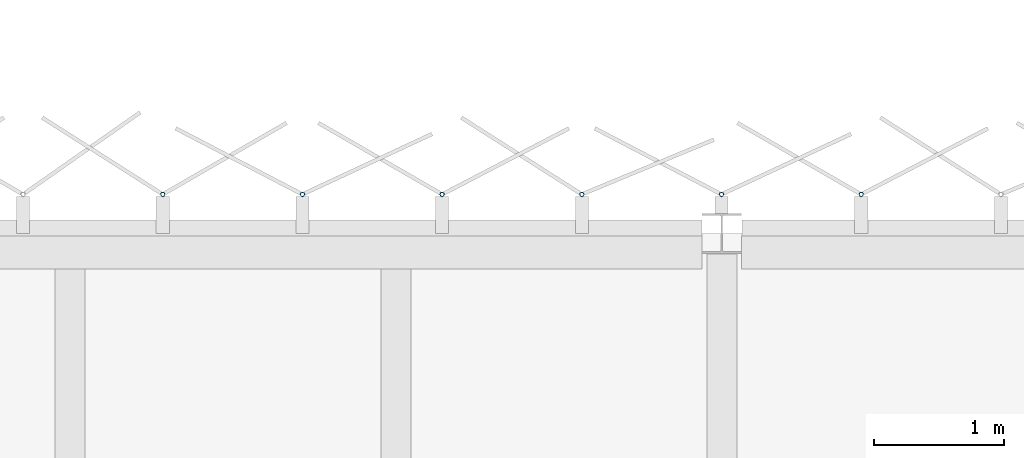
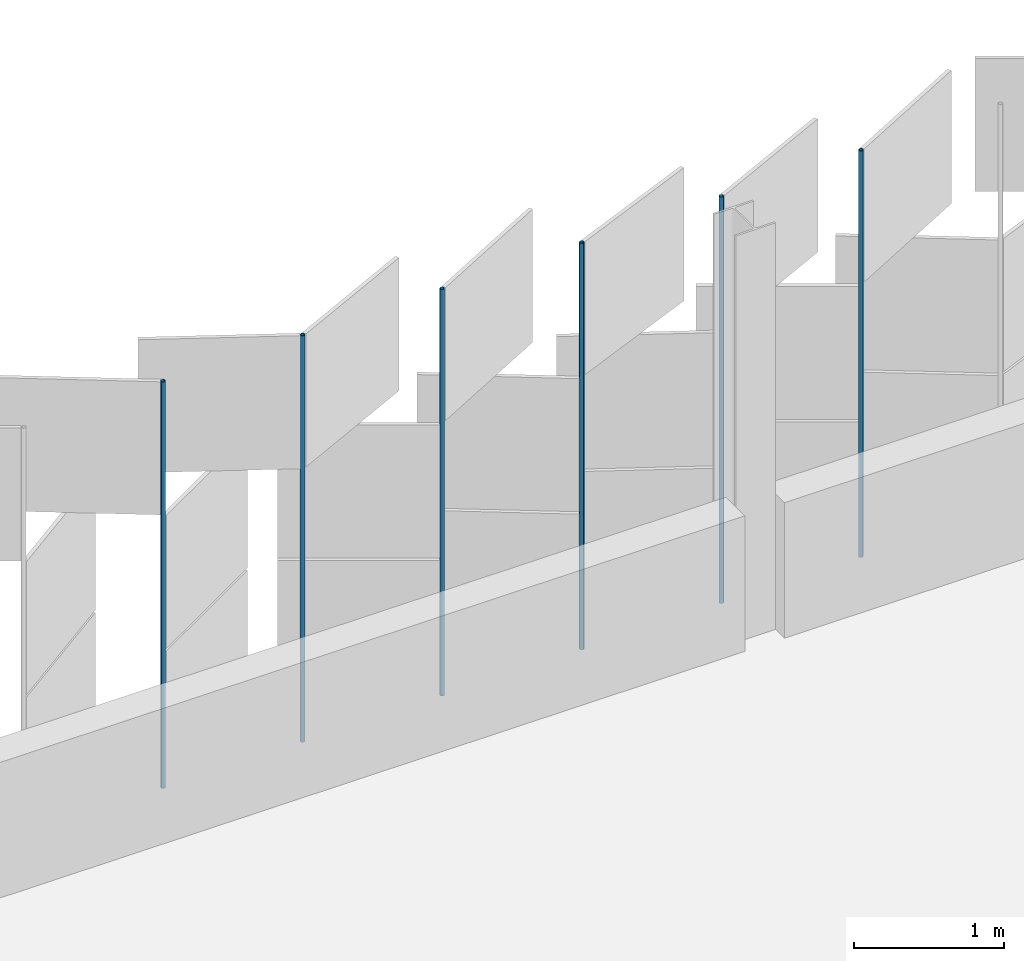
# One storey, part 150 of 198: 6 discrete accessories.
"""IFC4 building model written with IfcOpenShell, lengths in metres."""

from ifc_helpers import new_model, si_unit, direction, frame, origin, origin_2d, place, context, subcontext, project, spatial, hollow_circle, extrude, material, material_profile, profile_set, type_object, element, save


model = new_model("IFC4")

# Units and contexts
model_context = context("Model", 3, precision=1e-05, world=origin(), true_north=direction((0.0, 1.0)))
body_context = subcontext(model_context, "Body", "Model", "MODEL_VIEW")
ifc_project = project(units=[si_unit("LENGTHUNIT", "METRE"), si_unit("AREAUNIT", "SQUARE_METRE"), si_unit("VOLUMEUNIT", "CUBIC_METRE"), si_unit("PLANEANGLEUNIT", "RADIAN"), si_unit("MASSUNIT", "GRAM", prefix="KILO")], contexts=[model_context])

# Site, building, storey
site_placement = place(None, origin())
site = spatial("IfcSite", under=ifc_project, at=site_placement, CompositionType="ELEMENT")
building_placement = place(site_placement, origin())
building = spatial("IfcBuilding", under=site, at=building_placement, Name="Parallax Yard Mobility Hub", CompositionType="ELEMENT")
storey_placement = place(building_placement, frame((0.0, 0.0, 6.60009765625)))
storey = spatial("IfcBuildingStorey", under=building, at=storey_placement, Name="L02", CompositionType="ELEMENT", Elevation=6.60009765625)

# Discrete accessories
ifc_material = material(Name="Steel ASTM A500 Gr C, hot-dip galvanised", Category="steel")
ifc_material_profile = material_profile(ifc_material, hollow_circle(Radius=0.016845703125, WallThickness=0.003173828125, at=origin_2d()), Name="CHS 33.7x3.2")
ifc_profile_set = profile_set([ifc_material_profile], Name="Steel ASTM A500 Gr C, hot-dip galvanised")
discrete_accessory_type = type_object("IfcDiscreteAccessoryType", Name="Hinge post CHS 33.7x3.2", PredefinedType="BRACKET", material=ifc_profile_set)
for number, where, z_axis, x_axis, name in (
    (1, (136.069091796875, 142.800048828125, 0.0), (0.0, 0.0, 1.0), (1.0, 0.0, 0.0), "Hinge post bay 55.7 level L02"),
    (2, (134.997314453125, 142.800048828125, 0.0), (0.0, 0.0, 1.0), (1.0, 0.0, 0.0), "Hinge post bay 56.1 level L02"),
    (3, (133.92578125, 142.800048828125, 0.0), (0.0, 0.0, 1.0), (1.0, 0.0, 0.0), "Hinge post bay 56.2 level L02"),
    (4, (132.854248046875, 142.800048828125, 0.0), (0.0, 0.0, 1.0), (1.0, 0.0, 0.0), "Hinge post bay 56.3 level L02"),
    (5, (131.78271484375, 142.800048828125, 0.0), (0.0, 0.0, 1.0), (1.0, 0.0, 0.0), "Hinge post bay 56.4 level L02"),
    (6, (130.711181640625, 142.800048828125, 0.0), (0.0, 0.0, 1.0), (1.0, 0.0, 0.0), "Hinge post bay 56.5 level L02"),
):
    element("IfcDiscreteAccessory", number, at=place(storey_placement, frame(where, z_axis=z_axis, x_axis=x_axis)), inside=storey, type_object=discrete_accessory_type, Name=name, PredefinedType="BRACKET", context=body_context, shape_type="SweptSolid", body=[
        extrude(hollow_circle(Radius=0.016845703125, WallThickness=0.003173828125, at=origin_2d()), origin(), (0.0, 0.0, 1.0), 3.2998046875),
    ])

save(model, "model.ifc")
